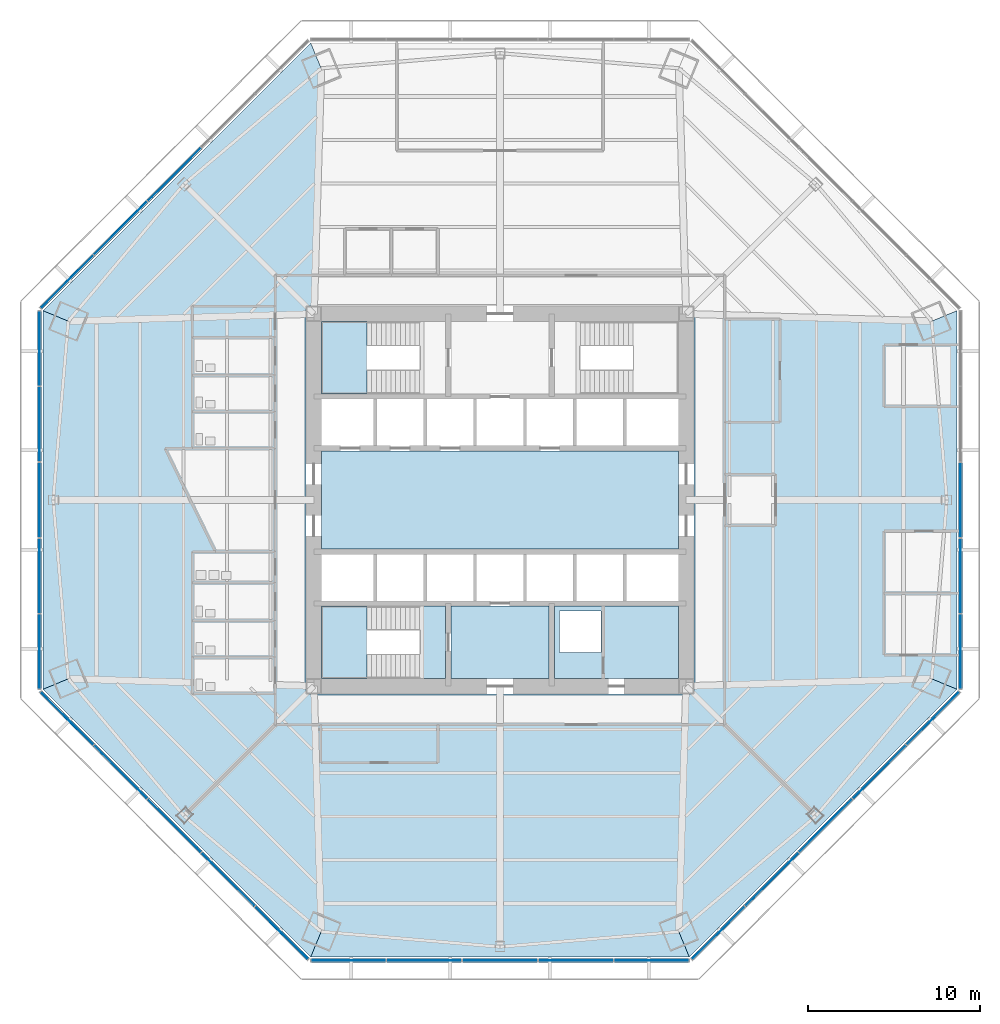
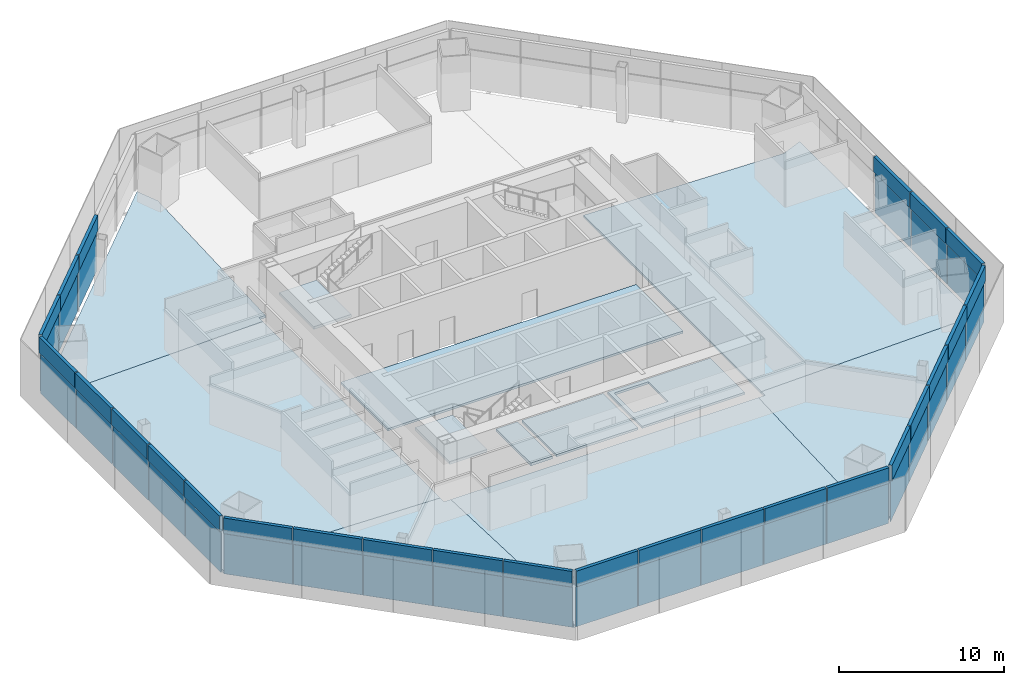
# One storey, part 6 of 13: 52 plates, 12 slabs, 8 elements without a shape of their own.
"""IFC4 building model written with IfcOpenShell, lengths in metres."""

import ifcopenshell
import ifcopenshell.guid

model = None  # the IFC model being written
_history = None  # IfcOwnerHistory: only IFC2X3 demands one
_inside = {}  # id of a spatial element -> (the spatial element, [elements in it])
_under = {}  # id of a project, library or spatial element -> (it, [spatial elements below it])
_declared = {}  # id of a project -> (the project, [libraries it declares])
_typed = {}  # id of a type object -> (the type object, [elements of that type])
_made_of = {}  # id of a material, layer set ... -> (it, [elements and type objects made of it])


def new_model(schema):
    """Start an empty IFC model of exactly this schema.

    Asked for "IFC4X3", IfcOpenShell would pick the latest addendum, in which some entities
    have other attributes; the version numbers below select the first issue.
    IFC2X3 requires an IfcOwnerHistory on every rooted entity: one is made here for all.
    """
    global model, _history
    if schema == "IFC4X3":
        model = ifcopenshell.file(schema_version=(4, 3, 0, 0))
    else:
        model = ifcopenshell.file(schema=schema)
    _inside.clear()
    _under.clear()
    _declared.clear()
    _typed.clear()
    _made_of.clear()
    _history = None
    if model.schema == "IFC2X3":
        org = make("IfcOrganization", Name="unknown")
        user = make(
            "IfcPersonAndOrganization",
            ThePerson=make("IfcPerson", FamilyName="unknown"),
            TheOrganization=org,
        )
        app = make(
            "IfcApplication",
            ApplicationDeveloper=org,
            Version="unknown",
            ApplicationFullName="unknown",
            ApplicationIdentifier="unknown",
        )
        _history = make(
            "IfcOwnerHistory",
            OwningUser=user,
            OwningApplication=app,
            ChangeAction="ADDED",
            CreationDate=0,
        )
    return model


def make(cls, **values):
    """One entity of the class cls with the attributes given. An attribute that is None is left unset."""
    return model.create_entity(
        cls, **{name: value for name, value in values.items() if value is not None}
    )


def rooted(cls, **values):
    """An entity with a GlobalId (a new one), such as an element, a storey or a relation."""
    return make(cls, GlobalId=ifcopenshell.guid.new(), OwnerHistory=_history, **values)


def si_unit(unit_type, name, prefix=None):
    """IfcSIUnit, for example si_unit("LENGTHUNIT", "METRE", prefix="MILLI")."""
    return make("IfcSIUnit", UnitType=unit_type, Prefix=prefix, Name=name)


def assignment(units):
    """IfcUnitAssignment: the units of a project."""
    return None if units is None else make("IfcUnitAssignment", Units=units)


def point(xyz):
    """IfcCartesianPoint."""
    return None if xyz is None else make("IfcCartesianPoint", Coordinates=xyz)


def direction(xyz):
    """IfcDirection."""
    return None if xyz is None else make("IfcDirection", DirectionRatios=xyz)


def frame(location, z_axis=None, x_axis=None):
    """IfcAxis2Placement3D, a coordinate frame: its origin and axes. An axis left out is left unset."""
    return make(
        "IfcAxis2Placement3D",
        Location=point(location),
        Axis=direction(z_axis),
        RefDirection=direction(x_axis),
    )


def frame_2d(location, x_axis=None):
    """IfcAxis2Placement2D, a coordinate frame in the plane: its origin and x axis."""
    return make(
        "IfcAxis2Placement2D", Location=point(location), RefDirection=direction(x_axis)
    )


def origin():
    """The frame at (0, 0, 0) with its axes left unset."""
    return frame((0.0, 0.0, 0.0))


def origin_2d():
    """The frame at (0, 0) in the plane with its x axis left unset."""
    return frame_2d((0.0, 0.0))


def place(relative_to, where):
    """IfcLocalPlacement: puts the frame where relative to a parent placement (None: the world)."""
    return make(
        "IfcLocalPlacement", PlacementRelTo=relative_to, RelativePlacement=where
    )


def context(
    kind, dimensions, precision=None, world=None, true_north=None, identifier=None
):
    """IfcGeometricRepresentationContext, for example the 3D "Model" context."""
    return make(
        "IfcGeometricRepresentationContext",
        ContextIdentifier=identifier,
        ContextType=kind,
        CoordinateSpaceDimension=dimensions,
        Precision=precision,
        WorldCoordinateSystem=world,
        TrueNorth=true_north,
    )


def subcontext(parent, identifier, kind, view, scale=None):
    """IfcGeometricRepresentationSubContext, for example "Body" below "Model"."""
    return make(
        "IfcGeometricRepresentationSubContext",
        ContextIdentifier=identifier,
        ContextType=kind,
        ParentContext=parent,
        TargetScale=scale,
        TargetView=view,
    )


def project(units=None, contexts=None):
    """IfcProject with its units and contexts."""
    return rooted(
        "IfcProject",
        Name="project",
        RepresentationContexts=contexts,
        UnitsInContext=assignment(units),
    )


def spatial(cls, under=None, at=None, **own):
    """A site, building, storey or space (cls), placed at a placement, below another one or the project."""
    s = rooted(cls, ObjectPlacement=at, **own)
    if under is not None:
        _under.setdefault(under.id(), (under, []))[1].append(s)
    return s


def polyline(points):
    """IfcPolyline through the points."""
    return make("IfcPolyline", Points=[point(p) for p in points])


def profile(cls, at=None, kind="AREA", **sizes):
    """A parametric profile (cls). Its sizes go by their IFC names, for example OverallWidth=200.0."""
    return make(cls, ProfileType=kind, Position=at, **sizes)


def rectangle(**sizes):
    """IfcRectangleProfileDef."""
    return profile("IfcRectangleProfileDef", **sizes)


def outline(outer, holes=None, kind="AREA"):
    """IfcArbitraryClosedProfileDef: a profile drawn as a closed curve; with holes, ...WithVoids."""
    if holes is None:
        return make("IfcArbitraryClosedProfileDef", ProfileType=kind, OuterCurve=outer)
    return make(
        "IfcArbitraryProfileDefWithVoids",
        ProfileType=kind,
        OuterCurve=outer,
        InnerCurves=holes,
    )


def extrude(swept, where, along, depth):
    """IfcExtrudedAreaSolid: the profile swept, set in the frame where, extruded along a direction by depth."""
    return make(
        "IfcExtrudedAreaSolid",
        SweptArea=swept,
        Position=where,
        ExtrudedDirection=direction(along),
        Depth=depth,
    )


def shape(context_of_items, identifier, shape_type, items):
    """IfcShapeRepresentation: the items that make up one representation, for example the "Body"."""
    return make(
        "IfcShapeRepresentation",
        ContextOfItems=context_of_items,
        RepresentationIdentifier=identifier,
        RepresentationType=shape_type,
        Items=items,
    )


def source(mapping_origin, context_of_items, identifier, shape_type, items):
    """IfcRepresentationMap: a shape defined once, which mapped items show again and again."""
    return make(
        "IfcRepresentationMap",
        MappingOrigin=mapping_origin,
        MappedRepresentation=shape(context_of_items, identifier, shape_type, items),
    )


def transform(
    local_origin,
    x_axis=None,
    y_axis=None,
    z_axis=None,
    scale=None,
    scale2=None,
    scale3=None,
    uniform=True,
):
    """IfcCartesianTransformationOperator3D, or its non-uniform kind. x_axis, y_axis, z_axis: its Axis1, 2, 3."""
    if uniform:
        return make(
            "IfcCartesianTransformationOperator3D",
            Axis1=direction(x_axis),
            Axis2=direction(y_axis),
            LocalOrigin=point(local_origin),
            Scale=scale,
            Axis3=direction(z_axis),
        )
    return make(
        "IfcCartesianTransformationOperator3DnonUniform",
        Axis1=direction(x_axis),
        Axis2=direction(y_axis),
        LocalOrigin=point(local_origin),
        Scale=scale,
        Axis3=direction(z_axis),
        Scale2=scale2,
        Scale3=scale3,
    )


def mapped(mapping_source, mapping_target):
    """IfcMappedItem: shows the shape of a source again, moved by a transform."""
    return make(
        "IfcMappedItem", MappingSource=mapping_source, MappingTarget=mapping_target
    )


def material(Name=None, Category=None):
    """IfcMaterial."""
    return make("IfcMaterial", Name=Name, Category=Category)


def layer(
    of_material, thickness, ventilated=None, Name=None, Category=None, Priority=None
):
    """IfcMaterialLayer: one layer of a wall or slab, of a material (None: an air gap)."""
    return make(
        "IfcMaterialLayer",
        Material=of_material,
        LayerThickness=thickness,
        IsVentilated=ventilated,
        Name=Name,
        Category=Category,
        Priority=Priority,
    )


def layer_set(layers, Name=None):
    """IfcMaterialLayerSet."""
    return make("IfcMaterialLayerSet", MaterialLayers=layers, LayerSetName=Name)


def made_of(thing, what):
    """Note that an element or type object is made of a material, layer set ...; save() writes the relation."""
    if what is not None:
        _made_of.setdefault(what.id(), (what, []))[1].append(thing)
    return thing


def type_object(cls, material=None, **own):
    """A type object (cls), such as IfcWallType, which elements share."""
    return made_of(rooted(cls, **own), material)


def type_shapes(of_type, sources):
    """Give a type object the sources (RepresentationMaps) that its elements show as mapped items."""
    of_type.RepresentationMaps = sources


def element(
    cls,
    number,
    at=None,
    inside=None,
    cuts=None,
    type_object=None,
    material=None,
    context=None,
    identifier="Body",
    shape_type=None,
    held_by="IfcProductDefinitionShape",
    body=None,
    shapes=None,
    **own,
):
    """One element of the class cls, such as IfcWall. Its Tag is "e" and its number.

    at: its placement. inside: the storey or other place that contains it. cuts: it is an
    opening in that element (IfcRelVoidsElement). A single representation is given by context,
    identifier, shape_type and body (its items); several are given by shapes. held_by: the class
    of the entity that holds the representations. save() writes the other relations.
    """
    e = rooted(cls, Tag="e%d" % number, ObjectPlacement=at, **own)
    if body is not None:
        shapes = [shape(context, identifier, shape_type, body)]
    if shapes is not None:
        e.Representation = make(held_by, Representations=shapes)
    if inside is not None:
        _inside.setdefault(inside.id(), (inside, []))[1].append(e)
    if cuts is not None:
        rooted(
            "IfcRelVoidsElement", RelatingBuildingElement=cuts, RelatedOpeningElement=e
        )
    if type_object is not None:
        _typed.setdefault(type_object.id(), (type_object, []))[1].append(e)
    return made_of(e, material)


def aggregate(whole, parts):
    """IfcRelAggregates: a whole, such as a stair, and the parts it consists of."""
    return rooted("IfcRelAggregates", RelatingObject=whole, RelatedObjects=parts)


def save(model, path):
    """Write the relations noted so far, then the file.

    IfcRelAggregates (storeys below a building ...), IfcRelContainedInSpatialStructure (elements
    in a storey), IfcRelDefinesByType, IfcRelAssociatesMaterial and IfcRelDeclares: one each for
    every whole, place, type object, material and project.
    """
    for whole, parts in _under.values():
        aggregate(whole, parts)
    for where, things in _inside.values():
        rooted(
            "IfcRelContainedInSpatialStructure",
            RelatedElements=things,
            RelatingStructure=where,
        )
    for kind, things in _typed.values():
        rooted("IfcRelDefinesByType", RelatedObjects=things, RelatingType=kind)
    for what, things in _made_of.values():
        rooted("IfcRelAssociatesMaterial", RelatedObjects=things, RelatingMaterial=what)
    for by, libraries in _declared.values():
        rooted("IfcRelDeclares", RelatingContext=by, RelatedDefinitions=libraries)
    model.write(path)


model = new_model("IFC4")

# Units and contexts
model_context = context("Model", 3, precision=1e-05, world=origin(), true_north=direction((0.0, 1.0)))
body_context = subcontext(model_context, "Body", "Model", "MODEL_VIEW")
ifc_project = project(units=[si_unit("LENGTHUNIT", "METRE"), si_unit("AREAUNIT", "SQUARE_METRE"), si_unit("VOLUMEUNIT", "CUBIC_METRE"), si_unit("PLANEANGLEUNIT", "RADIAN"), si_unit("MASSUNIT", "GRAM", prefix="KILO")], contexts=[model_context])

# Site, building, storey
site_placement = place(None, origin())
site = spatial("IfcSite", under=ifc_project, at=site_placement, CompositionType="ELEMENT")
building_placement = place(site_placement, origin())
building = spatial("IfcBuilding", under=site, at=building_placement, Name="Mashrafa Tower", CompositionType="ELEMENT")
storey_placement = place(building_placement, frame((0.0, 0.0, 45.60009765625)))
storey = spatial("IfcBuildingStorey", under=building, at=storey_placement, Name="L09", CompositionType="ELEMENT", Elevation=45.60009765625)

# Slabs
ifc_material_1 = material(Name="Concrete C35/45", Category="concrete")
ifc_layer_1 = layer(ifc_material_1, 0.1650390625)
ifc_layer_set_1 = layer_set([ifc_layer_1], Name="Floor slab 165")
slab_type_1 = type_object("IfcSlabType", Name="Floor slab 165", PredefinedType="FLOOR", material=ifc_layer_set_1)
slab_1_placement = place(storey_placement, frame((0.0, 0.0, -0.1650390625)))
element("IfcSlab", 1, at=slab_1_placement, inside=storey, type_object=slab_type_1, Name="Floor slab L09 east bay", PredefinedType="FLOOR", context=body_context, shape_type="SweptSolid", body=[
    extrude(outline(polyline([(26.524658203125, 10.98681640625), (26.524658203125, -10.98681640625), (26.524658203125, -10.987060546875), (25.05126953125, -10.376708984375), (11.25, -10.78662109375), (11.25, 10.78662109375), (25.05126953125, 10.376708984375), (26.524658203125, 10.987060546875), (26.524658203125, 10.98681640625)])), origin(), (0.0, 0.0, 1.0), 0.1650390625),
])
slab_2_placement = place(storey_placement, frame((0.0, 0.0, -0.1650390625)))
element("IfcSlab", 2, at=slab_2_placement, inside=storey, type_object=slab_type_1, Name="Floor slab L09 north-west bay", PredefinedType="FLOOR", context=body_context, shape_type="SweptSolid", body=[
    extrude(outline(polyline([(-10.987060546875, 26.524658203125), (-10.376708984375, 25.05126953125), (-10.78662109375, 11.25), (-11.25, 11.25), (-11.25, 10.78662109375), (-25.05126953125, 10.376708984375), (-26.524658203125, 10.987060546875), (-10.987060546875, 26.524658203125)])), origin(), (0.0, 0.0, 1.0), 0.1650390625),
])
slab_3_placement = place(storey_placement, frame((0.0, 0.0, -0.1650390625)))
element("IfcSlab", 3, at=slab_3_placement, inside=storey, type_object=slab_type_1, Name="Floor slab L09 west bay", PredefinedType="FLOOR", context=body_context, shape_type="SweptSolid", body=[
    extrude(outline(polyline([(-26.524658203125, -10.98681640625), (-26.524658203125, 10.98681640625), (-26.524658203125, 10.987060546875), (-25.05126953125, 10.376708984375), (-11.25, 10.78662109375), (-11.25, -10.78662109375), (-25.05126953125, -10.376708984375), (-26.524658203125, -10.987060546875), (-26.524658203125, -10.98681640625)])), origin(), (0.0, 0.0, 1.0), 0.1650390625),
])
slab_4_placement = place(storey_placement, frame((0.0, 0.0, -0.1650390625)))
element("IfcSlab", 4, at=slab_4_placement, inside=storey, type_object=slab_type_1, Name="Floor slab L09 south-west bay", PredefinedType="FLOOR", context=body_context, shape_type="SweptSolid", body=[
    extrude(outline(polyline([(-26.524658203125, -10.987060546875), (-25.05126953125, -10.376708984375), (-11.25, -10.78662109375), (-11.25, -11.25), (-10.78662109375, -11.25), (-10.376708984375, -25.05126953125), (-10.987060546875, -26.524658203125), (-26.524658203125, -10.987060546875)])), origin(), (0.0, 0.0, 1.0), 0.1650390625),
])
slab_5_placement = place(storey_placement, frame((0.0, 0.0, -0.1650390625)))
element("IfcSlab", 5, at=slab_5_placement, inside=storey, type_object=slab_type_1, Name="Floor slab L09 south bay", PredefinedType="FLOOR", context=body_context, shape_type="SweptSolid", body=[
    extrude(outline(polyline([(-10.98681640625, -26.524658203125), (-10.987060546875, -26.524658203125), (-10.376708984375, -25.05126953125), (-10.78662109375, -11.25), (10.78662109375, -11.25), (10.376708984375, -25.05126953125), (10.987060546875, -26.524658203125), (10.98681640625, -26.524658203125), (-10.98681640625, -26.524658203125)])), origin(), (0.0, 0.0, 1.0), 0.1650390625),
])
slab_6_placement = place(storey_placement, frame((0.0, 0.0, -0.1650390625)))
element("IfcSlab", 6, at=slab_6_placement, inside=storey, type_object=slab_type_1, Name="Floor slab L09 south-east bay", PredefinedType="FLOOR", context=body_context, shape_type="SweptSolid", body=[
    extrude(outline(polyline([(10.987060546875, -26.524658203125), (10.376708984375, -25.05126953125), (10.78662109375, -11.25), (11.25, -11.25), (11.25, -10.78662109375), (25.05126953125, -10.376708984375), (26.524658203125, -10.987060546875), (10.987060546875, -26.524658203125)])), origin(), (0.0, 0.0, 1.0), 0.1650390625),
])
slab_7_placement = place(storey_placement, frame((0.0, 0.0, -0.1650390625)))
element("IfcSlab", 7, at=slab_7_placement, inside=storey, type_object=slab_type_1, Name="Core floor lift hall L09", PredefinedType="FLOOR", context=body_context, shape_type="SweptSolid", body=[
    extrude(outline(polyline([(-10.35009765625, 2.85009765625), (10.35009765625, 2.85009765625), (10.35009765625, -2.85009765625), (-10.35009765625, -2.85009765625), (-10.35009765625, 2.85009765625)])), origin(), (0.0, 0.0, 1.0), 0.1650390625),
])
slab_8_placement = place(storey_placement, frame((0.0, 0.0, -0.1650390625)))
element("IfcSlab", 8, at=slab_8_placement, inside=storey, type_object=slab_type_1, Name="Core floor riser and electrical band L09", PredefinedType="FLOOR", context=body_context, shape_type="SweptSolid", body=[
    extrude(outline(polyline([(10.35009765625, -6.14990234375), (10.35009765625, -10.35009765625), (3.14990234375, -10.35009765625), (3.14990234375, -6.14990234375), (10.35009765625, -6.14990234375)]), holes=[polyline([(3.449951171875, -8.85009765625), (5.85009765625, -8.85009765625), (5.85009765625, -6.449951171875), (3.449951171875, -6.449951171875), (3.449951171875, -8.85009765625)])]), origin(), (0.0, 0.0, 1.0), 0.1650390625),
])
slab_9_placement = place(storey_placement, frame((0.0, 0.0, -0.1650390625)))
element("IfcSlab", 9, at=slab_9_placement, inside=storey, type_object=slab_type_1, Name="Core floor fire-fighting lobby south L09", PredefinedType="FLOOR", context=body_context, shape_type="SweptSolid", body=[
    extrude(outline(polyline([(2.85009765625, -6.14990234375), (2.85009765625, -10.35009765625), (-2.85009765625, -10.35009765625), (-2.85009765625, -6.14990234375), (2.85009765625, -6.14990234375)])), origin(), (0.0, 0.0, 1.0), 0.1650390625),
])

# Stair, slab
ifc_material_2 = material(Name="Exit stair 1400")
stair_type = type_object("IfcStairType", Name="Exit stair 1400", PredefinedType="HALF_TURN_STAIR", material=ifc_material_2)
stair_1_placement = place(storey_placement, origin())
stair_1 = element("IfcStair", 10, at=stair_1_placement, inside=storey, type_object=stair_type, Name="Stair S1 L09", PredefinedType="HALF_TURN_STAIR")
ifc_material_3 = material(Name="Concrete C32/40", Category="concrete")
ifc_layer_2 = layer(ifc_material_3, 0.199951171875)
ifc_layer_set_2 = layer_set([ifc_layer_2], Name="Stair landing 200")
slab_type_2 = type_object("IfcSlabType", Name="Stair landing 200", PredefinedType="LANDING", material=ifc_layer_set_2)
slab_10_placement = place(storey_placement, frame((0.0, 0.0, 1.89990234375)))
slab_10 = element("IfcSlab", 11, at=slab_10_placement, type_object=slab_type_2, Name="S1 landing 2", PredefinedType="LANDING", context=body_context, shape_type="SweptSolid", body=[
    extrude(outline(polyline([(-10.35009765625, 6.14990234375), (-7.719970703125, 6.14990234375), (-7.719970703125, 10.35009765625), (-10.35009765625, 10.35009765625), (-10.35009765625, 6.14990234375)])), origin(), (0.0, 0.0, 1.0), 0.199951171875),
])
aggregate(stair_1, [slab_10])

# Stair, slabs
stair_2_placement = place(storey_placement, origin())
stair_2 = element("IfcStair", 12, at=stair_2_placement, inside=storey, type_object=stair_type, Name="Stair S3 L09", PredefinedType="HALF_TURN_STAIR")
slab_11_placement = place(storey_placement, frame((0.0, 0.0, -0.2001953125)))
slab_11 = element("IfcSlab", 13, at=slab_11_placement, type_object=slab_type_2, Name="S3 landing 1", PredefinedType="LANDING", context=body_context, shape_type="SweptSolid", body=[
    extrude(outline(polyline([(-4.659912109375, -10.35009765625), (-3.14990234375, -10.35009765625), (-3.14990234375, -6.14990234375), (-4.659912109375, -6.14990234375), (-4.659912109375, -10.35009765625)])), origin(), (0.0, 0.0, 1.0), 0.2001953125),
])
slab_12_placement = place(storey_placement, frame((0.0, 0.0, 1.89990234375)))
slab_12 = element("IfcSlab", 14, at=slab_12_placement, type_object=slab_type_2, Name="S3 landing 2", PredefinedType="LANDING", context=body_context, shape_type="SweptSolid", body=[
    extrude(outline(polyline([(-10.35009765625, -10.35009765625), (-7.719970703125, -10.35009765625), (-7.719970703125, -6.14990234375), (-10.35009765625, -6.14990234375), (-10.35009765625, -10.35009765625)])), origin(), (0.0, 0.0, 1.0), 0.199951171875),
])
aggregate(stair_2, [slab_11, slab_12])

# Curtain wall, plate
ifc_material_4 = material(Name="Unitised aluminium curtain wall", Category="aluminium")
curtain_wall_type = type_object("IfcCurtainWallType", Name="Office curtain wall, zone 1 CW-A 200 deep", PredefinedType="NOTDEFINED", material=ifc_material_4)
curtain_wall_1_placement = place(storey_placement, origin())
curtain_wall_1 = element("IfcCurtainWall", 15, at=curtain_wall_1_placement, inside=storey, type_object=curtain_wall_type, Name="Office curtain wall, zone 1 L09 east", PredefinedType="NOTDEFINED")
ifc_material_5 = material(Name="Insulated double glazing, low-e, neutral", Category="glass")
ifc_layer_3 = layer(ifc_material_5, 0.028076171875)
ifc_layer_set_3 = layer_set([ifc_layer_3], Name="Vision panel CW-A 28")
plate_type_1 = type_object("IfcPlateType", Name="Vision panel CW-A 28", PredefinedType="CURTAIN_PANEL", material=ifc_layer_set_3)
shared_shape_1 = source(origin(), body_context, "Body", "SweptSolid", [
    extrude(rectangle(XDim=4.309814453125, YDim=0.028076171875, at=origin_2d()), origin(), (0.0, 0.0, 1.0), 2.9599609375),
])
plate_1_placement = place(storey_placement, frame((26.724853515625, -8.79833984375, 0.0), z_axis=(0.0, 0.0, 1.0), x_axis=(0.0, 1.0, 0.0)))
plate_1 = element("IfcPlate", 16, at=plate_1_placement, type_object=plate_type_1, Name="CW-A vision panel 1", PredefinedType="CURTAIN_PANEL", context=body_context, shape_type="MappedRepresentation", body=[
    mapped(shared_shape_1, transform((0.0, 0.0, 0.0))),
])

curtain_wall_2_placement = place(storey_placement, origin())
curtain_wall_2 = element("IfcCurtainWall", 17, at=curtain_wall_2_placement, inside=storey, type_object=curtain_wall_type, Name="Office curtain wall, zone 1 L09 north-west", PredefinedType="NOTDEFINED")
plate_2_placement = place(storey_placement, frame((-25.11865234375, 12.67578125, 0.0), z_axis=(0.0, 0.0, 1.0), x_axis=(-0.707106781187, -0.707106781187, 0.0)))
plate_2 = element("IfcPlate", 18, at=plate_2_placement, type_object=plate_type_1, Name="CW-A vision panel 5", PredefinedType="CURTAIN_PANEL", context=body_context, shape_type="MappedRepresentation", body=[
    mapped(shared_shape_1, transform((0.0, 0.0, 0.0))),
])

# Curtain wall, plates
curtain_wall_3_placement = place(storey_placement, origin())
curtain_wall_3 = element("IfcCurtainWall", 19, at=curtain_wall_3_placement, inside=storey, type_object=curtain_wall_type, Name="Office curtain wall, zone 1 L09 west", PredefinedType="NOTDEFINED")
plate_3_placement = place(storey_placement, frame((-26.724853515625, 8.79833984375, 0.0), z_axis=(0.0, 0.0, 1.0), x_axis=(0.0, -1.0, 0.0)))
plate_3 = element("IfcPlate", 20, at=plate_3_placement, type_object=plate_type_1, Name="CW-A vision panel 1", PredefinedType="CURTAIN_PANEL", context=body_context, shape_type="MappedRepresentation", body=[
    mapped(shared_shape_1, transform((0.0, 0.0, 0.0))),
])
plate_4_placement = place(storey_placement, frame((-26.724853515625, -8.79833984375, 0.0), z_axis=(0.0, 0.0, 1.0), x_axis=(0.0, -1.0, 0.0)))
plate_4 = element("IfcPlate", 21, at=plate_4_placement, type_object=plate_type_1, Name="CW-A vision panel 5", PredefinedType="CURTAIN_PANEL", context=body_context, shape_type="MappedRepresentation", body=[
    mapped(shared_shape_1, transform((0.0, 0.0, 0.0))),
])

curtain_wall_4_placement = place(storey_placement, origin())
curtain_wall_4 = element("IfcCurtainWall", 22, at=curtain_wall_4_placement, inside=storey, type_object=curtain_wall_type, Name="Office curtain wall, zone 1 L09 south-west", PredefinedType="NOTDEFINED")
plate_5_placement = place(storey_placement, frame((-25.11865234375, -12.67578125, 0.0), z_axis=(0.0, 0.0, 1.0), x_axis=(0.707106781187, -0.707106781187, 0.0)))
plate_5 = element("IfcPlate", 23, at=plate_5_placement, type_object=plate_type_1, Name="CW-A vision panel 1", PredefinedType="CURTAIN_PANEL", context=body_context, shape_type="MappedRepresentation", body=[
    mapped(shared_shape_1, transform((0.0, 0.0, 0.0))),
])
plate_6_placement = place(storey_placement, frame((-12.67578125, -25.11865234375, 0.0), z_axis=(0.0, 0.0, 1.0), x_axis=(0.707106781187, -0.707106781187, 0.0)))
plate_6 = element("IfcPlate", 24, at=plate_6_placement, type_object=plate_type_1, Name="CW-A vision panel 5", PredefinedType="CURTAIN_PANEL", context=body_context, shape_type="MappedRepresentation", body=[
    mapped(shared_shape_1, transform((0.0, 0.0, 0.0))),
])

curtain_wall_5_placement = place(storey_placement, origin())
curtain_wall_5 = element("IfcCurtainWall", 25, at=curtain_wall_5_placement, inside=storey, type_object=curtain_wall_type, Name="Office curtain wall, zone 1 L09 south", PredefinedType="NOTDEFINED")
plate_7_placement = place(storey_placement, frame((-8.79833984375, -26.724853515625, 0.0), z_axis=(0.0, 0.0, 1.0), x_axis=(1.0, 0.0, 0.0)))
plate_7 = element("IfcPlate", 26, at=plate_7_placement, type_object=plate_type_1, Name="CW-A vision panel 1", PredefinedType="CURTAIN_PANEL", context=body_context, shape_type="MappedRepresentation", body=[
    mapped(shared_shape_1, transform((0.0, 0.0, 0.0))),
])
plate_8_placement = place(storey_placement, frame((8.79833984375, -26.724853515625, 0.0), z_axis=(0.0, 0.0, 1.0), x_axis=(1.0, 0.0, 0.0)))
plate_8 = element("IfcPlate", 27, at=plate_8_placement, type_object=plate_type_1, Name="CW-A vision panel 5", PredefinedType="CURTAIN_PANEL", context=body_context, shape_type="MappedRepresentation", body=[
    mapped(shared_shape_1, transform((0.0, 0.0, 0.0))),
])

curtain_wall_6_placement = place(storey_placement, origin())
curtain_wall_6 = element("IfcCurtainWall", 28, at=curtain_wall_6_placement, inside=storey, type_object=curtain_wall_type, Name="Office curtain wall, zone 1 L09 south-east", PredefinedType="NOTDEFINED")
plate_9_placement = place(storey_placement, frame((12.67578125, -25.11865234375, 0.0), z_axis=(0.0, 0.0, 1.0), x_axis=(0.707106781187, 0.707106781187, 0.0)))
plate_9 = element("IfcPlate", 29, at=plate_9_placement, type_object=plate_type_1, Name="CW-A vision panel 1", PredefinedType="CURTAIN_PANEL", context=body_context, shape_type="MappedRepresentation", body=[
    mapped(shared_shape_1, transform((0.0, 0.0, 0.0))),
])
plate_10_placement = place(storey_placement, frame((25.11865234375, -12.67578125, 0.0), z_axis=(0.0, 0.0, 1.0), x_axis=(0.707106781187, 0.707106781187, 0.0)))
plate_10 = element("IfcPlate", 30, at=plate_10_placement, type_object=plate_type_1, Name="CW-A vision panel 5", PredefinedType="CURTAIN_PANEL", context=body_context, shape_type="MappedRepresentation", body=[
    mapped(shared_shape_1, transform((0.0, 0.0, 0.0))),
])

# Plate
ifc_material_6 = material(Name="Insulated aluminium spandrel panel", Category="aluminium")
ifc_layer_4 = layer(ifc_material_6, 0.219970703125)
ifc_layer_set_4 = layer_set([ifc_layer_4], Name="Spandrel panel CW-A 220")
plate_type_2 = type_object("IfcPlateType", Name="Spandrel panel CW-A 220", PredefinedType="CURTAIN_PANEL", material=ifc_layer_set_4)
shared_shape_2 = source(origin(), body_context, "Body", "SweptSolid", [
    extrude(rectangle(XDim=4.309814453125, YDim=0.219970703125, at=origin_2d()), origin(), (0.0, 0.0, 1.0), 1.159912109375),
])
plate_11_placement = place(storey_placement, frame((26.724853515625, -8.79833984375, 3.0400390625), z_axis=(0.0, 0.0, 1.0), x_axis=(0.0, 1.0, 0.0)))
plate_11 = element("IfcPlate", 31, at=plate_11_placement, type_object=plate_type_2, Name="CW-A spandrel panel 1", PredefinedType="CURTAIN_PANEL", context=body_context, shape_type="MappedRepresentation", body=[
    mapped(shared_shape_2, transform((0.0, 0.0, 0.0))),
])

plate_12_placement = place(storey_placement, frame((-25.11865234375, 12.67578125, 3.0400390625), z_axis=(0.0, 0.0, 1.0), x_axis=(-0.707106781187, -0.707106781187, 0.0)))
plate_12 = element("IfcPlate", 32, at=plate_12_placement, type_object=plate_type_2, Name="CW-A spandrel panel 5", PredefinedType="CURTAIN_PANEL", context=body_context, shape_type="MappedRepresentation", body=[
    mapped(shared_shape_2, transform((0.0, 0.0, 0.0))),
])

plate_13_placement = place(storey_placement, frame((-26.724853515625, 8.79833984375, 3.0400390625), z_axis=(0.0, 0.0, 1.0), x_axis=(0.0, -1.0, 0.0)))
plate_13 = element("IfcPlate", 33, at=plate_13_placement, type_object=plate_type_2, Name="CW-A spandrel panel 1", PredefinedType="CURTAIN_PANEL", context=body_context, shape_type="MappedRepresentation", body=[
    mapped(shared_shape_2, transform((0.0, 0.0, 0.0))),
])

plate_14_placement = place(storey_placement, frame((-26.724853515625, -8.79833984375, 3.0400390625), z_axis=(0.0, 0.0, 1.0), x_axis=(0.0, -1.0, 0.0)))
plate_14 = element("IfcPlate", 34, at=plate_14_placement, type_object=plate_type_2, Name="CW-A spandrel panel 5", PredefinedType="CURTAIN_PANEL", context=body_context, shape_type="MappedRepresentation", body=[
    mapped(shared_shape_2, transform((0.0, 0.0, 0.0))),
])

plate_15_placement = place(storey_placement, frame((-25.11865234375, -12.67578125, 3.0400390625), z_axis=(0.0, 0.0, 1.0), x_axis=(0.707106781187, -0.707106781187, 0.0)))
plate_15 = element("IfcPlate", 35, at=plate_15_placement, type_object=plate_type_2, Name="CW-A spandrel panel 1", PredefinedType="CURTAIN_PANEL", context=body_context, shape_type="MappedRepresentation", body=[
    mapped(shared_shape_2, transform((0.0, 0.0, 0.0))),
])

plate_16_placement = place(storey_placement, frame((-12.67578125, -25.11865234375, 3.0400390625), z_axis=(0.0, 0.0, 1.0), x_axis=(0.707106781187, -0.707106781187, 0.0)))
plate_16 = element("IfcPlate", 36, at=plate_16_placement, type_object=plate_type_2, Name="CW-A spandrel panel 5", PredefinedType="CURTAIN_PANEL", context=body_context, shape_type="MappedRepresentation", body=[
    mapped(shared_shape_2, transform((0.0, 0.0, 0.0))),
])

plate_17_placement = place(storey_placement, frame((-8.79833984375, -26.724853515625, 3.0400390625), z_axis=(0.0, 0.0, 1.0), x_axis=(1.0, 0.0, 0.0)))
plate_17 = element("IfcPlate", 37, at=plate_17_placement, type_object=plate_type_2, Name="CW-A spandrel panel 1", PredefinedType="CURTAIN_PANEL", context=body_context, shape_type="MappedRepresentation", body=[
    mapped(shared_shape_2, transform((0.0, 0.0, 0.0))),
])

plate_18_placement = place(storey_placement, frame((8.79833984375, -26.724853515625, 3.0400390625), z_axis=(0.0, 0.0, 1.0), x_axis=(1.0, 0.0, 0.0)))
plate_18 = element("IfcPlate", 38, at=plate_18_placement, type_object=plate_type_2, Name="CW-A spandrel panel 5", PredefinedType="CURTAIN_PANEL", context=body_context, shape_type="MappedRepresentation", body=[
    mapped(shared_shape_2, transform((0.0, 0.0, 0.0))),
])

plate_19_placement = place(storey_placement, frame((12.67578125, -25.11865234375, 3.0400390625), z_axis=(0.0, 0.0, 1.0), x_axis=(0.707106781187, 0.707106781187, 0.0)))
plate_19 = element("IfcPlate", 39, at=plate_19_placement, type_object=plate_type_2, Name="CW-A spandrel panel 1", PredefinedType="CURTAIN_PANEL", context=body_context, shape_type="MappedRepresentation", body=[
    mapped(shared_shape_2, transform((0.0, 0.0, 0.0))),
])

plate_20_placement = place(storey_placement, frame((25.11865234375, -12.67578125, 3.0400390625), z_axis=(0.0, 0.0, 1.0), x_axis=(0.707106781187, 0.707106781187, 0.0)))
plate_20 = element("IfcPlate", 40, at=plate_20_placement, type_object=plate_type_2, Name="CW-A spandrel panel 5", PredefinedType="CURTAIN_PANEL", context=body_context, shape_type="MappedRepresentation", body=[
    mapped(shared_shape_2, transform((0.0, 0.0, 0.0))),
])

shared_shape_3 = source(origin(), body_context, "Body", "SweptSolid", [
    extrude(rectangle(XDim=4.34228515625, YDim=0.028076171875, at=origin_2d()), origin(), (0.0, 0.0, 1.0), 2.9599609375),
])
type_shapes(plate_type_1, [shared_shape_1, shared_shape_3])
plate_21_placement = place(storey_placement, frame((26.724853515625, -4.4072265625, 0.0), z_axis=(0.0, 0.0, 1.0), x_axis=(0.0, 1.0, 0.0)))
plate_21 = element("IfcPlate", 41, at=plate_21_placement, type_object=plate_type_1, Name="CW-A vision panel 2", PredefinedType="CURTAIN_PANEL", context=body_context, shape_type="MappedRepresentation", body=[
    mapped(shared_shape_3, transform((0.0, 0.0, 0.0))),
])

plate_22_placement = place(storey_placement, frame((26.724853515625, 0.0, 0.0), z_axis=(0.0, 0.0, 1.0), x_axis=(0.0, 1.0, 0.0)))
plate_22 = element("IfcPlate", 42, at=plate_22_placement, type_object=plate_type_1, Name="CW-A vision panel 3", PredefinedType="CURTAIN_PANEL", context=body_context, shape_type="MappedRepresentation", body=[
    mapped(shared_shape_3, transform((0.0, 0.0, 0.0))),
])

plate_23_placement = place(storey_placement, frame((-18.897216796875, 18.897216796875, 0.0), z_axis=(0.0, 0.0, 1.0), x_axis=(-0.707106781187, -0.707106781187, 0.0)))
plate_23 = element("IfcPlate", 43, at=plate_23_placement, type_object=plate_type_1, Name="CW-A vision panel 3", PredefinedType="CURTAIN_PANEL", context=body_context, shape_type="MappedRepresentation", body=[
    mapped(shared_shape_3, transform((0.0, 0.0, 0.0))),
])

plate_24_placement = place(storey_placement, frame((-22.013671875, 15.78076171875, 0.0), z_axis=(0.0, 0.0, 1.0), x_axis=(-0.707106781187, -0.707106781187, 0.0)))
plate_24 = element("IfcPlate", 44, at=plate_24_placement, type_object=plate_type_1, Name="CW-A vision panel 4", PredefinedType="CURTAIN_PANEL", context=body_context, shape_type="MappedRepresentation", body=[
    mapped(shared_shape_3, transform((0.0, 0.0, 0.0))),
])

plate_25_placement = place(storey_placement, frame((-26.724853515625, 4.4072265625, 0.0), z_axis=(0.0, 0.0, 1.0), x_axis=(0.0, -1.0, 0.0)))
plate_25 = element("IfcPlate", 45, at=plate_25_placement, type_object=plate_type_1, Name="CW-A vision panel 2", PredefinedType="CURTAIN_PANEL", context=body_context, shape_type="MappedRepresentation", body=[
    mapped(shared_shape_3, transform((0.0, 0.0, 0.0))),
])

plate_26_placement = place(storey_placement, frame((-26.724853515625, 0.0, 0.0), z_axis=(0.0, 0.0, 1.0), x_axis=(0.0, -1.0, 0.0)))
plate_26 = element("IfcPlate", 46, at=plate_26_placement, type_object=plate_type_1, Name="CW-A vision panel 3", PredefinedType="CURTAIN_PANEL", context=body_context, shape_type="MappedRepresentation", body=[
    mapped(shared_shape_3, transform((0.0, 0.0, 0.0))),
])

plate_27_placement = place(storey_placement, frame((-26.724853515625, -4.4072265625, 0.0), z_axis=(0.0, 0.0, 1.0), x_axis=(0.0, -1.0, 0.0)))
plate_27 = element("IfcPlate", 47, at=plate_27_placement, type_object=plate_type_1, Name="CW-A vision panel 4", PredefinedType="CURTAIN_PANEL", context=body_context, shape_type="MappedRepresentation", body=[
    mapped(shared_shape_3, transform((0.0, 0.0, 0.0))),
])

plate_28_placement = place(storey_placement, frame((-22.013671875, -15.78076171875, 0.0), z_axis=(0.0, 0.0, 1.0), x_axis=(0.707106781187, -0.707106781187, 0.0)))
plate_28 = element("IfcPlate", 48, at=plate_28_placement, type_object=plate_type_1, Name="CW-A vision panel 2", PredefinedType="CURTAIN_PANEL", context=body_context, shape_type="MappedRepresentation", body=[
    mapped(shared_shape_3, transform((0.0, 0.0, 0.0))),
])

plate_29_placement = place(storey_placement, frame((-18.897216796875, -18.897216796875, 0.0), z_axis=(0.0, 0.0, 1.0), x_axis=(0.707106781187, -0.707106781187, 0.0)))
plate_29 = element("IfcPlate", 49, at=plate_29_placement, type_object=plate_type_1, Name="CW-A vision panel 3", PredefinedType="CURTAIN_PANEL", context=body_context, shape_type="MappedRepresentation", body=[
    mapped(shared_shape_3, transform((0.0, 0.0, 0.0))),
])

plate_30_placement = place(storey_placement, frame((-15.78076171875, -22.013671875, 0.0), z_axis=(0.0, 0.0, 1.0), x_axis=(0.707106781187, -0.707106781187, 0.0)))
plate_30 = element("IfcPlate", 50, at=plate_30_placement, type_object=plate_type_1, Name="CW-A vision panel 4", PredefinedType="CURTAIN_PANEL", context=body_context, shape_type="MappedRepresentation", body=[
    mapped(shared_shape_3, transform((0.0, 0.0, 0.0))),
])

plate_31_placement = place(storey_placement, frame((-4.4072265625, -26.724853515625, 0.0), z_axis=(0.0, 0.0, 1.0), x_axis=(1.0, 0.0, 0.0)))
plate_31 = element("IfcPlate", 51, at=plate_31_placement, type_object=plate_type_1, Name="CW-A vision panel 2", PredefinedType="CURTAIN_PANEL", context=body_context, shape_type="MappedRepresentation", body=[
    mapped(shared_shape_3, transform((0.0, 0.0, 0.0))),
])

plate_32_placement = place(storey_placement, frame((0.0, -26.724853515625, 0.0), z_axis=(0.0, 0.0, 1.0), x_axis=(1.0, 0.0, 0.0)))
plate_32 = element("IfcPlate", 52, at=plate_32_placement, type_object=plate_type_1, Name="CW-A vision panel 3", PredefinedType="CURTAIN_PANEL", context=body_context, shape_type="MappedRepresentation", body=[
    mapped(shared_shape_3, transform((0.0, 0.0, 0.0))),
])

plate_33_placement = place(storey_placement, frame((4.4072265625, -26.724853515625, 0.0), z_axis=(0.0, 0.0, 1.0), x_axis=(1.0, 0.0, 0.0)))
plate_33 = element("IfcPlate", 53, at=plate_33_placement, type_object=plate_type_1, Name="CW-A vision panel 4", PredefinedType="CURTAIN_PANEL", context=body_context, shape_type="MappedRepresentation", body=[
    mapped(shared_shape_3, transform((0.0, 0.0, 0.0))),
])

plate_34_placement = place(storey_placement, frame((15.78076171875, -22.013671875, 0.0), z_axis=(0.0, 0.0, 1.0), x_axis=(0.707106781187, 0.707106781187, 0.0)))
plate_34 = element("IfcPlate", 54, at=plate_34_placement, type_object=plate_type_1, Name="CW-A vision panel 2", PredefinedType="CURTAIN_PANEL", context=body_context, shape_type="MappedRepresentation", body=[
    mapped(shared_shape_3, transform((0.0, 0.0, 0.0))),
])

plate_35_placement = place(storey_placement, frame((18.897216796875, -18.897216796875, 0.0), z_axis=(0.0, 0.0, 1.0), x_axis=(0.707106781187, 0.707106781187, 0.0)))
plate_35 = element("IfcPlate", 55, at=plate_35_placement, type_object=plate_type_1, Name="CW-A vision panel 3", PredefinedType="CURTAIN_PANEL", context=body_context, shape_type="MappedRepresentation", body=[
    mapped(shared_shape_3, transform((0.0, 0.0, 0.0))),
])

plate_36_placement = place(storey_placement, frame((22.013671875, -15.78076171875, 0.0), z_axis=(0.0, 0.0, 1.0), x_axis=(0.707106781187, 0.707106781187, 0.0)))
plate_36 = element("IfcPlate", 56, at=plate_36_placement, type_object=plate_type_1, Name="CW-A vision panel 4", PredefinedType="CURTAIN_PANEL", context=body_context, shape_type="MappedRepresentation", body=[
    mapped(shared_shape_3, transform((0.0, 0.0, 0.0))),
])

shared_shape_4 = source(origin(), body_context, "Body", "SweptSolid", [
    extrude(rectangle(XDim=4.34228515625, YDim=0.219970703125, at=origin_2d()), origin(), (0.0, 0.0, 1.0), 1.159912109375),
])
type_shapes(plate_type_2, [shared_shape_2, shared_shape_4])
plate_37_placement = place(storey_placement, frame((26.724853515625, -4.4072265625, 3.0400390625), z_axis=(0.0, 0.0, 1.0), x_axis=(0.0, 1.0, 0.0)))
plate_37 = element("IfcPlate", 57, at=plate_37_placement, type_object=plate_type_2, Name="CW-A spandrel panel 2", PredefinedType="CURTAIN_PANEL", context=body_context, shape_type="MappedRepresentation", body=[
    mapped(shared_shape_4, transform((0.0, 0.0, 0.0))),
])

plate_38_placement = place(storey_placement, frame((26.724853515625, 0.0, 3.0400390625), z_axis=(0.0, 0.0, 1.0), x_axis=(0.0, 1.0, 0.0)))
plate_38 = element("IfcPlate", 58, at=plate_38_placement, type_object=plate_type_2, Name="CW-A spandrel panel 3", PredefinedType="CURTAIN_PANEL", context=body_context, shape_type="MappedRepresentation", body=[
    mapped(shared_shape_4, transform((0.0, 0.0, 0.0))),
])

aggregate(curtain_wall_1, [plate_1, plate_11, plate_21, plate_37, plate_22, plate_38])

plate_39_placement = place(storey_placement, frame((-18.897216796875, 18.897216796875, 3.0400390625), z_axis=(0.0, 0.0, 1.0), x_axis=(-0.707106781187, -0.707106781187, 0.0)))
plate_39 = element("IfcPlate", 59, at=plate_39_placement, type_object=plate_type_2, Name="CW-A spandrel panel 3", PredefinedType="CURTAIN_PANEL", context=body_context, shape_type="MappedRepresentation", body=[
    mapped(shared_shape_4, transform((0.0, 0.0, 0.0))),
])

plate_40_placement = place(storey_placement, frame((-22.013671875, 15.78076171875, 3.0400390625), z_axis=(0.0, 0.0, 1.0), x_axis=(-0.707106781187, -0.707106781187, 0.0)))
plate_40 = element("IfcPlate", 60, at=plate_40_placement, type_object=plate_type_2, Name="CW-A spandrel panel 4", PredefinedType="CURTAIN_PANEL", context=body_context, shape_type="MappedRepresentation", body=[
    mapped(shared_shape_4, transform((0.0, 0.0, 0.0))),
])

aggregate(curtain_wall_2, [plate_23, plate_39, plate_24, plate_40, plate_2, plate_12])

plate_41_placement = place(storey_placement, frame((-26.724853515625, 4.4072265625, 3.0400390625), z_axis=(0.0, 0.0, 1.0), x_axis=(0.0, -1.0, 0.0)))
plate_41 = element("IfcPlate", 61, at=plate_41_placement, type_object=plate_type_2, Name="CW-A spandrel panel 2", PredefinedType="CURTAIN_PANEL", context=body_context, shape_type="MappedRepresentation", body=[
    mapped(shared_shape_4, transform((0.0, 0.0, 0.0))),
])

plate_42_placement = place(storey_placement, frame((-26.724853515625, 0.0, 3.0400390625), z_axis=(0.0, 0.0, 1.0), x_axis=(0.0, -1.0, 0.0)))
plate_42 = element("IfcPlate", 62, at=plate_42_placement, type_object=plate_type_2, Name="CW-A spandrel panel 3", PredefinedType="CURTAIN_PANEL", context=body_context, shape_type="MappedRepresentation", body=[
    mapped(shared_shape_4, transform((0.0, 0.0, 0.0))),
])

plate_43_placement = place(storey_placement, frame((-26.724853515625, -4.4072265625, 3.0400390625), z_axis=(0.0, 0.0, 1.0), x_axis=(0.0, -1.0, 0.0)))
plate_43 = element("IfcPlate", 63, at=plate_43_placement, type_object=plate_type_2, Name="CW-A spandrel panel 4", PredefinedType="CURTAIN_PANEL", context=body_context, shape_type="MappedRepresentation", body=[
    mapped(shared_shape_4, transform((0.0, 0.0, 0.0))),
])

aggregate(curtain_wall_3, [plate_3, plate_13, plate_25, plate_41, plate_26, plate_42, plate_27, plate_43, plate_4, plate_14])

plate_44_placement = place(storey_placement, frame((-22.013671875, -15.78076171875, 3.0400390625), z_axis=(0.0, 0.0, 1.0), x_axis=(0.707106781187, -0.707106781187, 0.0)))
plate_44 = element("IfcPlate", 64, at=plate_44_placement, type_object=plate_type_2, Name="CW-A spandrel panel 2", PredefinedType="CURTAIN_PANEL", context=body_context, shape_type="MappedRepresentation", body=[
    mapped(shared_shape_4, transform((0.0, 0.0, 0.0))),
])

plate_45_placement = place(storey_placement, frame((-18.897216796875, -18.897216796875, 3.0400390625), z_axis=(0.0, 0.0, 1.0), x_axis=(0.707106781187, -0.707106781187, 0.0)))
plate_45 = element("IfcPlate", 65, at=plate_45_placement, type_object=plate_type_2, Name="CW-A spandrel panel 3", PredefinedType="CURTAIN_PANEL", context=body_context, shape_type="MappedRepresentation", body=[
    mapped(shared_shape_4, transform((0.0, 0.0, 0.0))),
])

plate_46_placement = place(storey_placement, frame((-15.78076171875, -22.013671875, 3.0400390625), z_axis=(0.0, 0.0, 1.0), x_axis=(0.707106781187, -0.707106781187, 0.0)))
plate_46 = element("IfcPlate", 66, at=plate_46_placement, type_object=plate_type_2, Name="CW-A spandrel panel 4", PredefinedType="CURTAIN_PANEL", context=body_context, shape_type="MappedRepresentation", body=[
    mapped(shared_shape_4, transform((0.0, 0.0, 0.0))),
])

aggregate(curtain_wall_4, [plate_5, plate_15, plate_28, plate_44, plate_29, plate_45, plate_30, plate_46, plate_6, plate_16])

plate_47_placement = place(storey_placement, frame((-4.4072265625, -26.724853515625, 3.0400390625), z_axis=(0.0, 0.0, 1.0), x_axis=(1.0, 0.0, 0.0)))
plate_47 = element("IfcPlate", 67, at=plate_47_placement, type_object=plate_type_2, Name="CW-A spandrel panel 2", PredefinedType="CURTAIN_PANEL", context=body_context, shape_type="MappedRepresentation", body=[
    mapped(shared_shape_4, transform((0.0, 0.0, 0.0))),
])

plate_48_placement = place(storey_placement, frame((0.0, -26.724853515625, 3.0400390625), z_axis=(0.0, 0.0, 1.0), x_axis=(1.0, 0.0, 0.0)))
plate_48 = element("IfcPlate", 68, at=plate_48_placement, type_object=plate_type_2, Name="CW-A spandrel panel 3", PredefinedType="CURTAIN_PANEL", context=body_context, shape_type="MappedRepresentation", body=[
    mapped(shared_shape_4, transform((0.0, 0.0, 0.0))),
])

plate_49_placement = place(storey_placement, frame((4.4072265625, -26.724853515625, 3.0400390625), z_axis=(0.0, 0.0, 1.0), x_axis=(1.0, 0.0, 0.0)))
plate_49 = element("IfcPlate", 69, at=plate_49_placement, type_object=plate_type_2, Name="CW-A spandrel panel 4", PredefinedType="CURTAIN_PANEL", context=body_context, shape_type="MappedRepresentation", body=[
    mapped(shared_shape_4, transform((0.0, 0.0, 0.0))),
])

aggregate(curtain_wall_5, [plate_7, plate_17, plate_31, plate_47, plate_32, plate_48, plate_33, plate_49, plate_8, plate_18])

plate_50_placement = place(storey_placement, frame((15.78076171875, -22.013671875, 3.0400390625), z_axis=(0.0, 0.0, 1.0), x_axis=(0.707106781187, 0.707106781187, 0.0)))
plate_50 = element("IfcPlate", 70, at=plate_50_placement, type_object=plate_type_2, Name="CW-A spandrel panel 2", PredefinedType="CURTAIN_PANEL", context=body_context, shape_type="MappedRepresentation", body=[
    mapped(shared_shape_4, transform((0.0, 0.0, 0.0))),
])

plate_51_placement = place(storey_placement, frame((18.897216796875, -18.897216796875, 3.0400390625), z_axis=(0.0, 0.0, 1.0), x_axis=(0.707106781187, 0.707106781187, 0.0)))
plate_51 = element("IfcPlate", 71, at=plate_51_placement, type_object=plate_type_2, Name="CW-A spandrel panel 3", PredefinedType="CURTAIN_PANEL", context=body_context, shape_type="MappedRepresentation", body=[
    mapped(shared_shape_4, transform((0.0, 0.0, 0.0))),
])

plate_52_placement = place(storey_placement, frame((22.013671875, -15.78076171875, 3.0400390625), z_axis=(0.0, 0.0, 1.0), x_axis=(0.707106781187, 0.707106781187, 0.0)))
plate_52 = element("IfcPlate", 72, at=plate_52_placement, type_object=plate_type_2, Name="CW-A spandrel panel 4", PredefinedType="CURTAIN_PANEL", context=body_context, shape_type="MappedRepresentation", body=[
    mapped(shared_shape_4, transform((0.0, 0.0, 0.0))),
])

aggregate(curtain_wall_6, [plate_9, plate_19, plate_34, plate_50, plate_35, plate_51, plate_36, plate_52, plate_10, plate_20])

save(model, "model.ifc")
